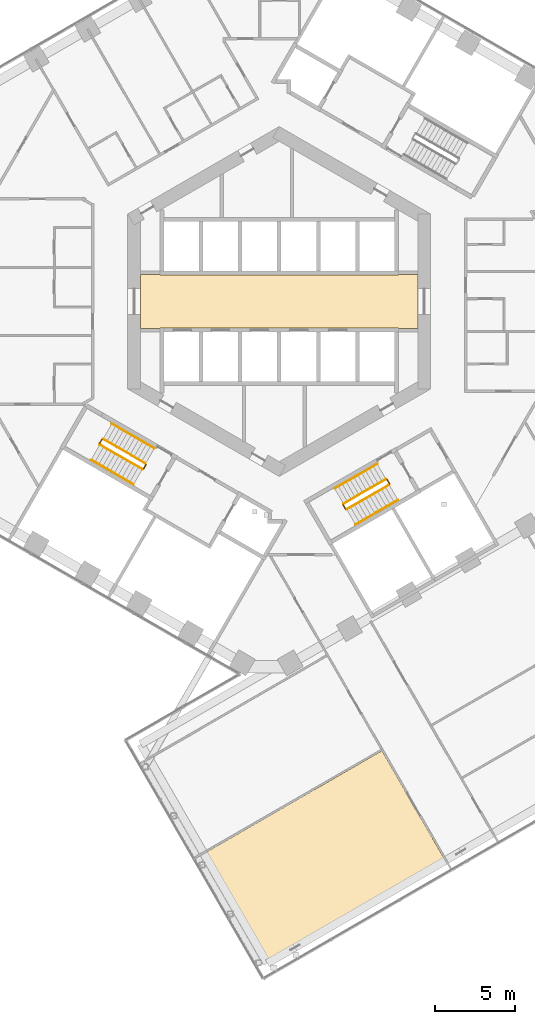
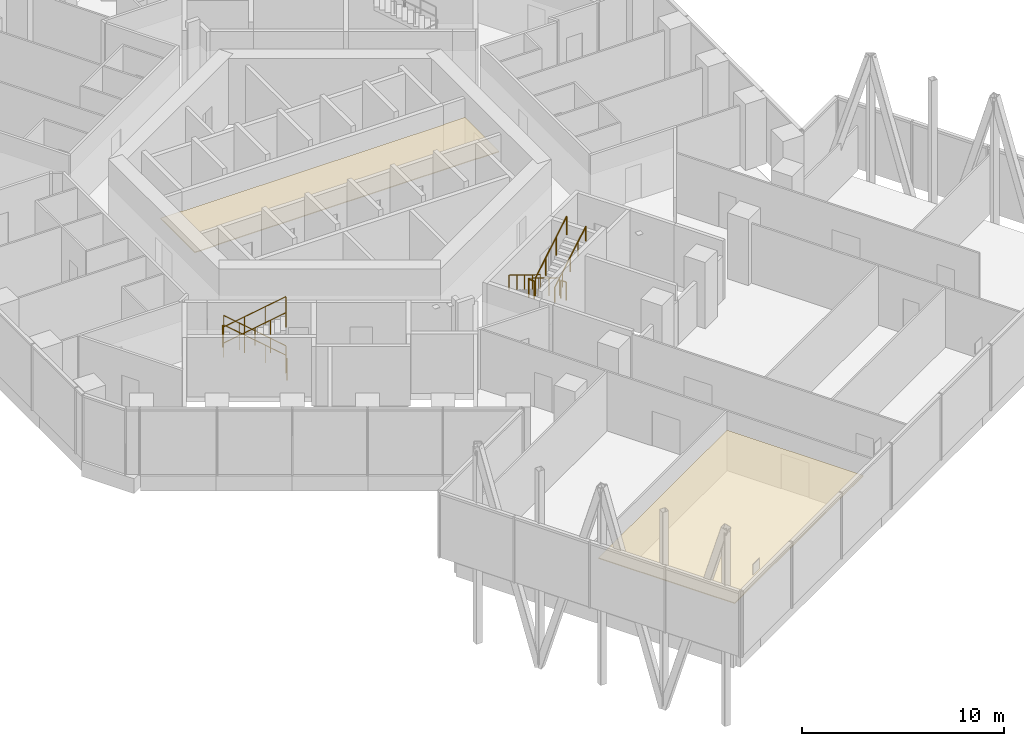
# One storey, part 25 of 27: 16 railings, 2 coverings.
"""IFC4 building model written with IfcOpenShell, lengths in metres."""

from ifc_helpers import new_model, si_unit, direction, frame, origin, origin_2d, place, context, subcontext, project, spatial, polyline, circle, outline, extrude, material, layer, layer_set, type_object, element, save


model = new_model("IFC4")

# Units and contexts
model_context = context("Model", 3, precision=1e-05, world=origin(), true_north=direction((0.0, 1.0)))
body_context = subcontext(model_context, "Body", "Model", "MODEL_VIEW")
ifc_project = project(units=[si_unit("LENGTHUNIT", "METRE"), si_unit("AREAUNIT", "SQUARE_METRE"), si_unit("VOLUMEUNIT", "CUBIC_METRE"), si_unit("PLANEANGLEUNIT", "RADIAN"), si_unit("MASSUNIT", "GRAM", prefix="KILO")], contexts=[model_context])

# Site, building, storey
site_placement = place(None, origin())
site = spatial("IfcSite", under=ifc_project, at=site_placement, CompositionType="ELEMENT")
building_placement = place(site_placement, origin())
building = spatial("IfcBuilding", under=site, at=building_placement, Name="Ayvan Gate Tower", CompositionType="ELEMENT")
storey_placement = place(building_placement, frame((0.0, 0.0, 70.300048828125)))
storey = spatial("IfcBuildingStorey", under=building, at=storey_placement, Name="L18", CompositionType="ELEMENT", Elevation=70.300048828125)

# Coverings
ifc_material_1 = material(Name="Plasterboard suspended ceiling")
ifc_layer = layer(ifc_material_1, 0.050048828125)
ifc_layer_set = layer_set([ifc_layer], Name="Plasterboard suspended ceiling")
covering_type = type_object("IfcCoveringType", Name="CT-SUSP-50", PredefinedType="CEILING", material=ifc_layer_set)
covering_1_placement = place(storey_placement, frame((0.0, 0.0, 2.39990234375)))
element("IfcCovering", 1, at=covering_1_placement, inside=storey, type_object=covering_type, Name="Ceiling Lift Lobby L18", PredefinedType="CEILING", context=body_context, shape_type="SweptSolid", body=[
    extrude(outline(polyline([(7.47509765625, -1.675048828125), (-7.47509765625, -1.675048828125), (-7.47509765625, -1.699951171875), (-8.699951171875, -1.699951171875), (-8.699951171875, 1.699951171875), (-7.47509765625, 1.699951171875), (-7.47509765625, 1.675048828125), (7.47509765625, 1.675048828125), (7.47509765625, 1.699951171875), (8.699951171875, 1.699951171875), (8.699951171875, -1.699951171875), (7.47509765625, -1.699951171875), (7.47509765625, -1.675048828125)])), origin(), (0.0, 0.0, 1.0), 0.050048828125),
])
covering_2_placement = place(storey_placement, frame((0.0, 0.0, 2.39990234375)))
element("IfcCovering", 2, at=covering_2_placement, inside=storey, type_object=covering_type, Name="Ceiling Library 2 L18", PredefinedType="CEILING", context=body_context, shape_type="SweptSolid", body=[
    extrude(outline(polyline([(6.437255859375, -28.177490234375), (10.337890625, -34.93359375), (-0.69189453125, -41.3017578125), (-4.592529296875, -34.545654296875), (6.437255859375, -28.177490234375)])), origin(), (0.0, 0.0, 1.0), 0.050048828125),
])

# Railings
ifc_material_2 = material(Name="Stainless steel balustrade", Category="steel")
railing_type_1 = type_object("IfcRailingType", Name="RL-GUARD-1100", PredefinedType="GUARDRAIL", material=ifc_material_2)
railing_1_placement = place(storey_placement, frame((-8.381103515625, -10.16650390625, 0.16650390625)))
element("IfcRailing", 3, at=railing_1_placement, inside=storey, type_object=railing_type_1, Name="L18 STS2 stair guard 1", PredefinedType="GUARDRAIL", context=body_context, shape_type="SweptSolid", body=[
    extrude(circle(Radius=0.02392578125, at=origin_2d()), frame((0.0, 0.0, 1.076171875), z_axis=(-0.7441639146, 0.429634447492, 0.511502013422), x_axis=(-0.499992328818, -0.866029832698, 0.0)), (0.0, 0.0, 1.0), 3.58447265625),
    extrude(circle(Radius=0.02099609375, at=origin_2d()), origin(), (0.0, 0.0, 1.0), 1.052001953125),
    extrude(circle(Radius=0.02099609375, at=origin_2d()), frame((-0.88916015625, 0.513427734375, 0.611083984375)), (0.0, 0.0, 1.0), 1.052001953125),
    extrude(circle(Radius=0.02099609375, at=origin_2d()), frame((-1.7783203125, 1.026611328125, 1.222412109375)), (0.0, 0.0, 1.0), 1.052001953125),
    extrude(circle(Radius=0.02099609375, at=origin_2d()), frame((-2.66748046875, 1.5400390625, 1.83349609375)), (0.0, 0.0, 1.0), 1.052001953125),
])
railing_2_placement = place(storey_placement, frame((-11.11669921875, -8.644775390625, 2.0)))
element("IfcRailing", 4, at=railing_2_placement, inside=storey, type_object=railing_type_1, Name="L18 STS2 stair guard 2", PredefinedType="GUARDRAIL", context=body_context, shape_type="SweptSolid", body=[
    extrude(circle(Radius=0.02392578125, at=origin_2d()), frame((0.0, 0.0, 1.076171875), z_axis=(-0.499949632511, -0.866054481515, 0.0), x_axis=(0.866054481515, -0.499949632511, 0.0)), (0.0, 0.0, 1.0), 0.31005859375),
    extrude(circle(Radius=0.02099609375, at=origin_2d()), origin(), (0.0, 0.0, 1.0), 1.052001953125),
    extrude(circle(Radius=0.02099609375, at=origin_2d()), frame((-0.155029296875, -0.2685546875, 0.0)), (0.0, 0.0, 1.0), 1.052001953125),
])
railing_3_placement = place(storey_placement, frame((-11.25341796875, -8.981689453125, 2.16650390625)))
element("IfcRailing", 5, at=railing_3_placement, inside=storey, type_object=railing_type_1, Name="L18 STS2 stair guard 3", PredefinedType="GUARDRAIL", context=body_context, shape_type="SweptSolid", body=[
    extrude(circle(Radius=0.02392578125, at=origin_2d()), frame((0.0, 0.0, 1.076171875), z_axis=(0.744155296881, -0.429600682602, 0.511542908886), x_axis=(0.499967199496, 0.866044340336, 0.0)), (0.0, 0.0, 1.0), 3.584228515625),
    extrude(circle(Radius=0.02099609375, at=origin_2d()), origin(), (0.0, 0.0, 1.0), 1.052001953125),
    extrude(circle(Radius=0.02099609375, at=origin_2d()), frame((0.88916015625, -0.51318359375, 0.611083984375)), (0.0, 0.0, 1.0), 1.052001953125),
    extrude(circle(Radius=0.02099609375, at=origin_2d()), frame((1.778076171875, -1.026611328125, 1.222412109375)), (0.0, 0.0, 1.0), 1.052001953125),
    extrude(circle(Radius=0.02099609375, at=origin_2d()), frame((2.667236328125, -1.539794921875, 1.83349609375)), (0.0, 0.0, 1.0), 1.052001953125),
])
railing_4_placement = place(storey_placement, frame((-8.36279296875, -10.23486328125, 0.0)))
element("IfcRailing", 6, at=railing_4_placement, inside=storey, type_object=railing_type_1, Name="L18 STS2 stair guard 4", PredefinedType="GUARDRAIL", context=body_context, shape_type="SweptSolid", body=[
    extrude(circle(Radius=0.02392578125, at=origin_2d()), frame((0.0, 0.0, 1.076171875), z_axis=(-0.500290723946, -0.86585748916, 0.0), x_axis=(0.86585748916, -0.500290723946, 0.0)), (0.0, 0.0, 1.0), 0.309814453125),
    extrude(circle(Radius=0.02099609375, at=origin_2d()), origin(), (0.0, 0.0, 1.0), 1.052001953125),
    extrude(circle(Radius=0.02099609375, at=origin_2d()), frame((-0.155029296875, -0.268310546875, 0.0)), (0.0, 0.0, 1.0), 1.052001953125),
])
railing_5_placement = place(storey_placement, frame((6.6923828125, -11.1416015625, 0.16650390625)))
element("IfcRailing", 7, at=railing_5_placement, inside=storey, type_object=railing_type_1, Name="L18 STS3 stair guard 1", PredefinedType="GUARDRAIL", context=body_context, shape_type="SweptSolid", body=[
    extrude(circle(Radius=0.02392578125, at=origin_2d()), frame((0.0, 0.0, 1.076171875), z_axis=(-0.74418568968, -0.429578907634, 0.511516980551), x_axis=(0.499932877268, -0.866064153644, 0.0)), (0.0, 0.0, 1.0), 3.58447265625),
    extrude(circle(Radius=0.02099609375, at=origin_2d()), origin(), (0.0, 0.0, 1.0), 1.052001953125),
    extrude(circle(Radius=0.02099609375, at=origin_2d()), frame((-0.88916015625, -0.51318359375, 0.611083984375)), (0.0, 0.0, 1.0), 1.052001953125),
    extrude(circle(Radius=0.02099609375, at=origin_2d()), frame((-1.7783203125, -1.026611328125, 1.222412109375)), (0.0, 0.0, 1.0), 1.052001953125),
    extrude(circle(Radius=0.02099609375, at=origin_2d()), frame((-2.66748046875, -1.539794921875, 1.83349609375)), (0.0, 0.0, 1.0), 1.052001953125),
])
railing_6_placement = place(storey_placement, frame((4.006591796875, -12.749755859375, 2.0)))
element("IfcRailing", 8, at=railing_6_placement, inside=storey, type_object=railing_type_1, Name="L18 STS3 stair guard 2", PredefinedType="GUARDRAIL", context=body_context, shape_type="SweptSolid", body=[
    extrude(circle(Radius=0.02392578125, at=origin_2d()), frame((0.0, 0.0, 1.076171875), z_axis=(0.499949632511, -0.866054481515, 0.0), x_axis=(0.866054481515, 0.499949632511, 0.0)), (0.0, 0.0, 1.0), 0.31005859375),
    extrude(circle(Radius=0.02099609375, at=origin_2d()), origin(), (0.0, 0.0, 1.0), 1.052001953125),
    extrude(circle(Radius=0.02099609375, at=origin_2d()), frame((0.155029296875, -0.2685546875, 0.0)), (0.0, 0.0, 1.0), 1.052001953125),
])
railing_7_placement = place(storey_placement, frame((4.22998046875, -13.03662109375, 2.16650390625)))
element("IfcRailing", 9, at=railing_7_placement, inside=storey, type_object=railing_type_1, Name="L18 STS3 stair guard 3", PredefinedType="GUARDRAIL", context=body_context, shape_type="SweptSolid", body=[
    extrude(circle(Radius=0.02392578125, at=origin_2d()), frame((0.0, 0.0, 1.076171875), z_axis=(0.7441639146, 0.429634447492, 0.511502013422), x_axis=(-0.499992328818, 0.866029832698, 0.0)), (0.0, 0.0, 1.0), 3.58447265625),
    extrude(circle(Radius=0.02099609375, at=origin_2d()), origin(), (0.0, 0.0, 1.0), 1.052001953125),
    extrude(circle(Radius=0.02099609375, at=origin_2d()), frame((0.88916015625, 0.513427734375, 0.611083984375)), (0.0, 0.0, 1.0), 1.052001953125),
    extrude(circle(Radius=0.02099609375, at=origin_2d()), frame((1.7783203125, 1.026611328125, 1.222412109375)), (0.0, 0.0, 1.0), 1.052001953125),
    extrude(circle(Radius=0.02099609375, at=origin_2d()), frame((2.66748046875, 1.5400390625, 1.83349609375)), (0.0, 0.0, 1.0), 1.052001953125),
])
railing_8_placement = place(storey_placement, frame((6.7607421875, -11.159912109375, 0.0)))
element("IfcRailing", 10, at=railing_8_placement, inside=storey, type_object=railing_type_1, Name="L18 STS3 stair guard 4", PredefinedType="GUARDRAIL", context=body_context, shape_type="SweptSolid", body=[
    extrude(circle(Radius=0.02392578125, at=origin_2d()), frame((0.0, 0.0, 1.076171875), z_axis=(0.500290723946, -0.86585748916, 0.0), x_axis=(0.86585748916, 0.500290723946, 0.0)), (0.0, 0.0, 1.0), 0.309814453125),
    extrude(circle(Radius=0.02099609375, at=origin_2d()), origin(), (0.0, 0.0, 1.0), 1.052001953125),
    extrude(circle(Radius=0.02099609375, at=origin_2d()), frame((0.155029296875, -0.268310546875, 0.0)), (0.0, 0.0, 1.0), 1.052001953125),
])
railing_type_2 = type_object("IfcRailingType", Name="RL-HANDRAIL-900", PredefinedType="HANDRAIL", material=ifc_material_2)
for number, where, name in (
    (11, (-7.8310546875, -9.2138671875, 0.16650390625), "L18 STS2 stair handrail 1"),
    (12, (-9.164794921875, -8.44384765625, 1.083251953125), "L18 STS2 stair handrail 2"),
):
    element("IfcRailing", number, at=place(storey_placement, frame(where)), inside=storey, type_object=railing_type_2, Name=name, PredefinedType="HANDRAIL", context=body_context, shape_type="SweptSolid", body=[
        extrude(circle(Radius=0.02392578125, at=origin_2d()), frame((0.0, 0.0, 0.8759765625), z_axis=(-0.7441639146, 0.429634447492, 0.511502013422), x_axis=(-0.499992328818, -0.866029832698, 0.0)), (0.0, 0.0, 1.0), 1.792236328125),
        extrude(circle(Radius=0.02099609375, at=origin_2d()), origin(), (0.0, 0.0, 1.0), 0.851806640625),
        extrude(circle(Radius=0.02099609375, at=origin_2d()), frame((-0.6669921875, 0.385009765625, 0.45849609375)), (0.0, 0.0, 1.0), 0.851806640625),
        extrude(circle(Radius=0.02099609375, at=origin_2d()), frame((-1.333740234375, 0.77001953125, 0.916748046875)), (0.0, 0.0, 1.0), 0.851806640625),
    ])
for number, where, name in (
    (13, (-11.803466796875, -9.93408203125, 2.16650390625), "L18 STS2 stair handrail 3"),
    (14, (-10.4697265625, -10.7041015625, 3.083251953125), "L18 STS2 stair handrail 4"),
):
    element("IfcRailing", number, at=place(storey_placement, frame(where)), inside=storey, type_object=railing_type_2, Name=name, PredefinedType="HANDRAIL", context=body_context, shape_type="SweptSolid", body=[
        extrude(circle(Radius=0.02392578125, at=origin_2d()), frame((0.0, 0.0, 0.8759765625), z_axis=(0.7441639146, -0.429634447492, 0.511502013422), x_axis=(0.499992328818, 0.866029832698, 0.0)), (0.0, 0.0, 1.0), 1.792236328125),
        extrude(circle(Radius=0.02099609375, at=origin_2d()), origin(), (0.0, 0.0, 1.0), 0.851806640625),
        extrude(circle(Radius=0.02099609375, at=origin_2d()), frame((0.6669921875, -0.385009765625, 0.45849609375)), (0.0, 0.0, 1.0), 0.851806640625),
        extrude(circle(Radius=0.02099609375, at=origin_2d()), frame((1.333740234375, -0.77001953125, 0.916748046875)), (0.0, 0.0, 1.0), 0.851806640625),
    ])
railing_9_placement = place(storey_placement, frame((6.142333984375, -10.18896484375, 0.16650390625)))
element("IfcRailing", 15, at=railing_9_placement, inside=storey, type_object=railing_type_2, Name="L18 STS3 stair handrail 1", PredefinedType="HANDRAIL", context=body_context, shape_type="SweptSolid", body=[
    extrude(circle(Radius=0.02392578125, at=origin_2d()), frame((0.0, 0.0, 0.8759765625), z_axis=(-0.7441639146, -0.429634447492, 0.511502013422), x_axis=(0.499992328818, -0.866029832698, 0.0)), (0.0, 0.0, 1.0), 1.792236328125),
    extrude(circle(Radius=0.02099609375, at=origin_2d()), origin(), (0.0, 0.0, 1.0), 0.851806640625),
    extrude(circle(Radius=0.02099609375, at=origin_2d()), frame((-0.6669921875, -0.385009765625, 0.45849609375)), (0.0, 0.0, 1.0), 0.851806640625),
    extrude(circle(Radius=0.02099609375, at=origin_2d()), frame((-1.333740234375, -0.77001953125, 0.916748046875)), (0.0, 0.0, 1.0), 0.851806640625),
])
railing_10_placement = place(storey_placement, frame((4.80859375, -10.958984375, 1.083251953125)))
element("IfcRailing", 16, at=railing_10_placement, inside=storey, type_object=railing_type_2, Name="L18 STS3 stair handrail 2", PredefinedType="HANDRAIL", context=body_context, shape_type="SweptSolid", body=[
    extrude(circle(Radius=0.02392578125, at=origin_2d()), frame((0.0, 0.0, 0.8759765625), z_axis=(-0.744146675635, -0.429566911072, 0.511583809412), x_axis=(0.499942064311, -0.866058850386, 0.0)), (0.0, 0.0, 1.0), 1.7919921875),
    extrude(circle(Radius=0.02099609375, at=origin_2d()), origin(), (0.0, 0.0, 1.0), 0.851806640625),
    extrude(circle(Radius=0.02099609375, at=origin_2d()), frame((-0.666748046875, -0.384765625, 0.45849609375)), (0.0, 0.0, 1.0), 0.851806640625),
    extrude(circle(Radius=0.02099609375, at=origin_2d()), frame((-1.33349609375, -0.769775390625, 0.916748046875)), (0.0, 0.0, 1.0), 0.851806640625),
])
railing_11_placement = place(storey_placement, frame((4.780029296875, -13.9892578125, 2.16650390625)))
element("IfcRailing", 17, at=railing_11_placement, inside=storey, type_object=railing_type_2, Name="L18 STS3 stair handrail 3", PredefinedType="HANDRAIL", context=body_context, shape_type="SweptSolid", body=[
    extrude(circle(Radius=0.02392578125, at=origin_2d()), frame((0.0, 0.0, 0.8759765625), z_axis=(0.7441639146, 0.429634447492, 0.511502013422), x_axis=(-0.499992328818, 0.866029832698, 0.0)), (0.0, 0.0, 1.0), 1.792236328125),
    extrude(circle(Radius=0.02099609375, at=origin_2d()), origin(), (0.0, 0.0, 1.0), 0.851806640625),
    extrude(circle(Radius=0.02099609375, at=origin_2d()), frame((0.6669921875, 0.385009765625, 0.45849609375)), (0.0, 0.0, 1.0), 0.851806640625),
    extrude(circle(Radius=0.02099609375, at=origin_2d()), frame((1.333740234375, 0.77001953125, 0.916748046875)), (0.0, 0.0, 1.0), 0.851806640625),
])
railing_12_placement = place(storey_placement, frame((6.11376953125, -13.21923828125, 3.083251953125)))
element("IfcRailing", 18, at=railing_12_placement, inside=storey, type_object=railing_type_2, Name="L18 STS3 stair handrail 4", PredefinedType="HANDRAIL", context=body_context, shape_type="SweptSolid", body=[
    extrude(circle(Radius=0.02392578125, at=origin_2d()), frame((0.0, 0.0, 0.8759765625), z_axis=(0.744103121745, 0.429678001828, 0.51155386711), x_axis=(-0.500060979923, 0.865990194147, 0.0)), (0.0, 0.0, 1.0), 1.7919921875),
    extrude(circle(Radius=0.02099609375, at=origin_2d()), origin(), (0.0, 0.0, 1.0), 0.851806640625),
    extrude(circle(Radius=0.02099609375, at=origin_2d()), frame((0.666748046875, 0.385009765625, 0.45849609375)), (0.0, 0.0, 1.0), 0.851806640625),
    extrude(circle(Radius=0.02099609375, at=origin_2d()), frame((1.33349609375, 0.77001953125, 0.916748046875)), (0.0, 0.0, 1.0), 0.851806640625),
])

save(model, "model.ifc")
